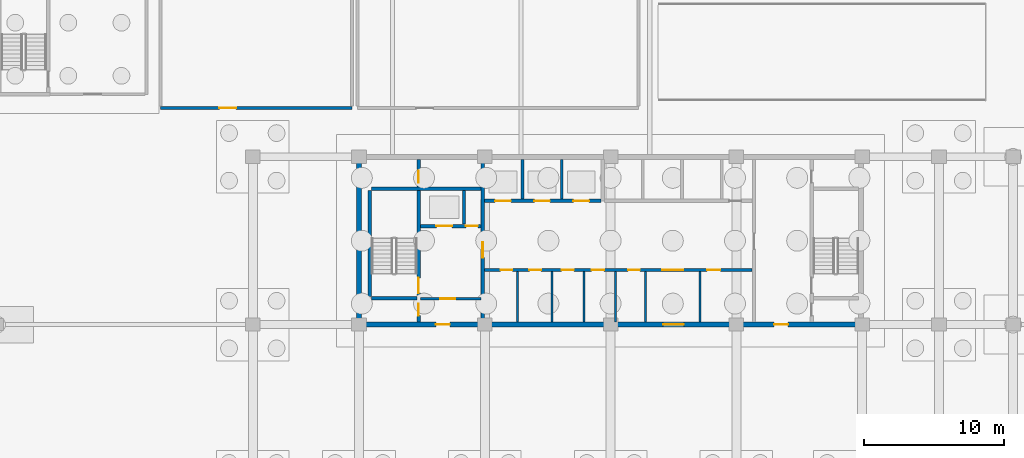
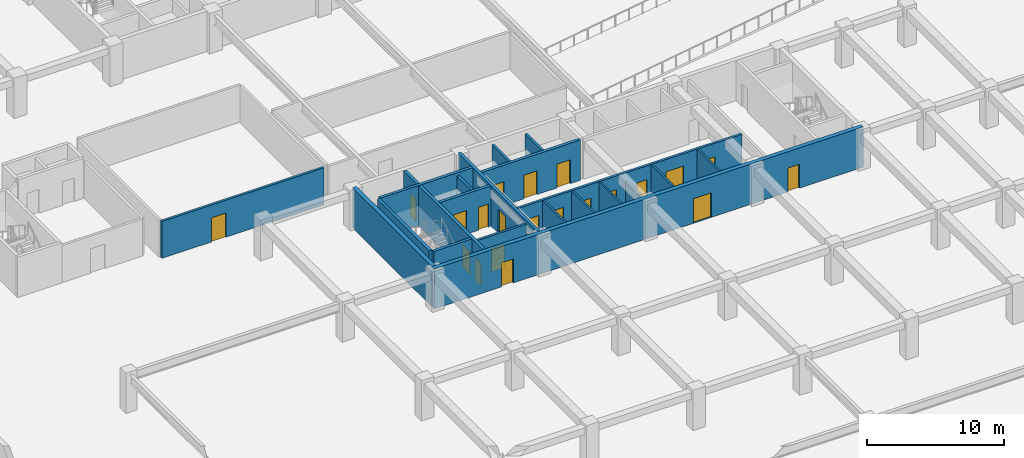
# One storey, part 10 of 26: 21 doors, 21 walls, 21 openings.
"""IFC4 building model written with IfcOpenShell, lengths in metres."""

from ifc_helpers import new_model, si_unit, direction, frame, frame_2d, origin, place, context, subcontext, project, spatial, rectangle, extrude, material, layer, layer_set, type_object, element, fill, save


model = new_model("IFC4")

# Units and contexts
model_context = context("Model", 3, precision=1e-05, world=origin(), true_north=direction((0.0, 1.0)))
body_context = subcontext(model_context, "Body", "Model", "MODEL_VIEW")
ifc_project = project(units=[si_unit("LENGTHUNIT", "METRE"), si_unit("AREAUNIT", "SQUARE_METRE"), si_unit("VOLUMEUNIT", "CUBIC_METRE"), si_unit("PLANEANGLEUNIT", "RADIAN"), si_unit("MASSUNIT", "GRAM", prefix="KILO")], contexts=[model_context])

# Site, building, storey
site_placement = place(None, origin())
site = spatial("IfcSite", under=ifc_project, at=site_placement, CompositionType="ELEMENT")
building_placement = place(site_placement, origin())
building = spatial("IfcBuilding", under=site, at=building_placement, Name="Korimba Cascade Residences", CompositionType="ELEMENT")
storey_placement = place(building_placement, frame((0.0, 0.0, -10.800048828125)))
storey = spatial("IfcBuildingStorey", under=building, at=storey_placement, Name="B03", CompositionType="ELEMENT", Elevation=-10.800048828125)

# Wall
ifc_material_1 = material(Name="Concrete C65/80", Category="concrete")
ifc_layer_1 = layer(ifc_material_1, 0.35009765625)
ifc_layer_set_1 = layer_set([ifc_layer_1], Name="Concrete C65/80")
wall_type_1 = type_object("IfcWallType", Name="WAL-CORE-350", PredefinedType="SHEAR", material=ifc_layer_set_1)
wall_1_placement = place(storey_placement, frame((82.10009765625, 18.574951171875, 0.0), z_axis=(0.0, 0.0, 1.0), x_axis=(0.0, 1.0, 0.0)))
element("IfcWall", 1, at=wall_1_placement, inside=storey, type_object=wall_type_1, Name="B03 Core Shear Wall CW-B03-T2-W", PredefinedType="SHEAR", context=body_context, shape_type="SweptSolid", body=[
    extrude(rectangle(XDim=11.650146484375, YDim=0.35009765625, at=frame_2d((5.8251953125, 0.0))), origin(), (0.0, 0.0, 1.0), 3.60009765625),
])

# Wall, openings, doors
wall_2_placement = place(storey_placement, frame((81.925048828125, 18.39990234375, 0.0), z_axis=(0.0, 0.0, 1.0), x_axis=(1.0, 0.0, 0.0)))
wall_2 = element("IfcWall", 2, at=wall_2_placement, inside=storey, type_object=wall_type_1, Name="B03 Core Shear Wall CW-B03-T2-S", PredefinedType="SHEAR", context=body_context, shape_type="SweptSolid", body=[
    extrude(rectangle(XDim=36.264892578125, YDim=0.35009765625, at=frame_2d((18.13232421875, 0.0))), origin(), (0.0, 0.0, 1.0), 3.60009765625),
])
opening_1_placement = place(wall_2_placement, frame((5.675048828125, 0.0, 0.0)))
opening_1 = element("IfcOpeningElement", 3, at=opening_1_placement, cuts=wall_2, Name="Opening D-FD5", PredefinedType="OPENING", context=body_context, shape_type="SweptSolid", body=[
    extrude(rectangle(XDim=1.0, YDim=2.14990234375, at=frame_2d((0.5, 1.074951171875))), frame((0.0, 0.18505859375, 0.0), z_axis=(0.0, -1.0, 0.0), x_axis=(1.0, 0.0, 0.0)), (0.0, 0.0, 1.0), 0.3701171875),
])
opening_2_placement = place(wall_2_placement, frame((21.925048828125, 0.0, 0.0)))
opening_2 = element("IfcOpeningElement", 4, at=opening_2_placement, cuts=wall_2, Name="Opening D-FD8", PredefinedType="OPENING", context=body_context, shape_type="SweptSolid", body=[
    extrude(rectangle(XDim=1.5, YDim=2.199951171875, at=frame_2d((0.75, 1.10009765625))), frame((0.0, 0.18505859375, 0.0), z_axis=(0.0, -1.0, 0.0), x_axis=(1.0, 0.0, 0.0)), (0.0, 0.0, 1.0), 0.3701171875),
])
opening_3_placement = place(wall_2_placement, frame((29.875, 0.0, 0.0)))
opening_3 = element("IfcOpeningElement", 5, at=opening_3_placement, cuts=wall_2, Name="Opening D-FD5", PredefinedType="OPENING", context=body_context, shape_type="SweptSolid", body=[
    extrude(rectangle(XDim=1.0, YDim=2.14990234375, at=frame_2d((0.5, 1.074951171875))), frame((0.0, 0.18505859375, 0.0), z_axis=(0.0, -1.0, 0.0), x_axis=(1.0, 0.0, 0.0)), (0.0, 0.0, 1.0), 0.3701171875),
])
ifc_material_2 = material(Name="Fire-Rated Acoustic Timber Vestibule Door", Category="wood")
door_type_1 = type_object("IfcDoorType", Name="DR-FD90-1000", OperationType="NOTDEFINED", PredefinedType="DOOR", material=ifc_material_2)
door_1_placement = place(opening_1_placement, origin())
door_1 = element("IfcDoor", 6, at=door_1_placement, inside=storey, type_object=door_type_1, Name="B03 T2 West Core Vestibule Fire Door", OperationType="SINGLE_SWING_RIGHT", OverallHeight=2.14990234375, OverallWidth=1.0, PredefinedType="DOOR", context=body_context, shape_type="SweptSolid", body=[
    extrude(rectangle(XDim=1.0, YDim=2.14990234375, at=frame_2d((0.5, 1.074951171875))), frame((0.0, 0.02490234375, 0.0), z_axis=(0.0, -1.0, 0.0), x_axis=(1.0, 0.0, 0.0)), (0.0, 0.0, 1.0), 0.050048828125),
])
fill(opening_1, door_1)
door_2_placement = place(opening_3_placement, origin())
door_2 = element("IfcDoor", 7, at=door_2_placement, inside=storey, type_object=door_type_1, Name="B03 T2 East Stair Vestibule Fire Door", OperationType="SINGLE_SWING_LEFT", OverallHeight=2.14990234375, OverallWidth=1.0, PredefinedType="DOOR", context=body_context, shape_type="SweptSolid", body=[
    extrude(rectangle(XDim=1.0, YDim=2.14990234375, at=frame_2d((0.5, 1.074951171875))), frame((0.0, 0.02490234375, 0.0), z_axis=(0.0, -1.0, 0.0), x_axis=(1.0, 0.0, 0.0)), (0.0, 0.0, 1.0), 0.050048828125),
])
fill(opening_3, door_2)
ifc_material_3 = material(Name="Fire-Rated Glazed Lift Lobby Double Door", Category="glass")
door_type_2 = type_object("IfcDoorType", Name="DR-FD90-1500", OperationType="NOTDEFINED", PredefinedType="DOOR", material=ifc_material_3)
door_3_placement = place(opening_2_placement, origin())
door_3 = element("IfcDoor", 8, at=door_3_placement, inside=storey, type_object=door_type_2, Name="B03 T2 Lift Lobby Fire Door", OperationType="DOUBLE_DOOR_SINGLE_SWING", OverallHeight=2.199951171875, OverallWidth=1.5, PredefinedType="DOOR", context=body_context, shape_type="SweptSolid", body=[
    extrude(rectangle(XDim=1.5, YDim=2.199951171875, at=frame_2d((0.75, 1.10009765625))), frame((0.0, 0.02490234375, 0.0), z_axis=(0.0, -1.0, 0.0), x_axis=(1.0, 0.0, 0.0)), (0.0, 0.0, 1.0), 0.050048828125),
])
fill(opening_2, door_3)

# Walls
ifc_material_4 = material(Name="Insulated Acoustic Stud Partition", Category="gypsum")
ifc_layer_2 = layer(ifc_material_4, 0.14990234375)
ifc_layer_set_2 = layer_set([ifc_layer_2], Name="Insulated Acoustic Stud Partition")
wall_type_2 = type_object("IfcWallType", Name="WAL-PART-150", PredefinedType="PARTITIONING", material=ifc_layer_set_2)
for number, where, z_axis, x_axis, name in (
    (9, (93.449951171875, 18.60009765625, 0.0), (0.0, 0.0, 1.0), (0.0, 1.0, 0.0), "B03 Partition Wall CW-B03-T2-ERDIV"),
    (10, (95.89990234375, 18.60009765625, 0.0), (0.0, 0.0, 1.0), (0.0, 1.0, 0.0), "B03 Partition Wall CW-B03-T2-PRDIV"),
    (11, (98.199951171875, 18.60009765625, 0.0), (0.0, 0.0, 1.0), (0.0, 1.0, 0.0), "B03 Partition Wall CW-B03-T2-CA1W1"),
):
    element("IfcWall", number, at=place(storey_placement, frame(where, z_axis=z_axis, x_axis=x_axis)), inside=storey, type_object=wall_type_2, Name=name, PredefinedType="PARTITIONING", context=body_context, shape_type="SweptSolid", body=[
        extrude(rectangle(XDim=3.599853515625, YDim=0.14990234375, at=frame_2d((1.7998046875, 0.0))), origin(), (0.0, 0.0, 1.0), 3.300048828125),
    ])
wall_3_placement = place(storey_placement, frame((100.449951171875, 18.60009765625, 0.0), z_axis=(0.0, 0.0, 1.0), x_axis=(0.0, 1.0, 0.0)))
element("IfcWall", 12, at=wall_3_placement, inside=storey, type_object=wall_type_2, Name="B03 Partition Wall CW-B03-T2-CA1W2", PredefinedType="PARTITIONING", context=body_context, shape_type="SweptSolid", body=[
    extrude(rectangle(XDim=3.599853515625, YDim=0.14990234375, at=frame_2d((1.7998046875, 0.0))), origin(), (0.0, 0.0, 1.0), 2.550048828125),
])
for number, where, z_axis, x_axis, name in (
    (13, (102.60009765625, 18.60009765625, 0.0), (0.0, 0.0, 1.0), (0.0, 1.0, 0.0), "B03 Partition Wall CW-B03-T2-THW"),
    (14, (106.5, 18.60009765625, 0.0), (0.0, 0.0, 1.0), (0.0, 1.0, 0.0), "B03 Partition Wall CW-B03-T2-THE"),
):
    element("IfcWall", number, at=place(storey_placement, frame(where, z_axis=z_axis, x_axis=x_axis)), inside=storey, type_object=wall_type_2, Name=name, PredefinedType="PARTITIONING", context=body_context, shape_type="SweptSolid", body=[
        extrude(rectangle(XDim=3.599853515625, YDim=0.14990234375, at=frame_2d((1.7998046875, 0.0))), origin(), (0.0, 0.0, 1.0), 3.300048828125),
    ])
ifc_material_5 = material(Name="Concrete C40/50", Category="concrete")
ifc_layer_3 = layer(ifc_material_5, 0.199951171875)
ifc_layer_set_3 = layer_set([ifc_layer_3], Name="Concrete C40/50")
wall_type_3 = type_object("IfcWallType", Name="WAL-PART-200", PredefinedType="PARTITIONING", material=ifc_layer_set_3)
wall_4_placement = place(storey_placement, frame((89.60009765625, 25.580078125, 0.0), z_axis=(0.0, 0.0, 1.0), x_axis=(0.0, 1.0, 0.0)))
element("IfcWall", 15, at=wall_4_placement, inside=storey, type_object=wall_type_3, Name="B03 Partition Wall CW-B03-T2-FFLDIV", PredefinedType="PARTITIONING", context=body_context, shape_type="SweptSolid", body=[
    extrude(rectangle(XDim=2.419921875, YDim=0.199951171875, at=frame_2d((1.2099609375, 0.0))), origin(), (0.0, 0.0, 1.0), 3.300048828125),
])

# Wall, opening, door
wall_5_placement = place(storey_placement, frame((86.5, 20.25, 0.0), z_axis=(0.0, 0.0, 1.0), x_axis=(1.0, 0.0, 0.0)))
wall_5 = element("IfcWall", 16, at=wall_5_placement, inside=storey, type_object=wall_type_3, Name="B03 Partition Wall CW-B03-T2-FFLS", PredefinedType="PARTITIONING", context=body_context, shape_type="SweptSolid", body=[
    extrude(rectangle(XDim=4.320068359375, YDim=0.199951171875, at=frame_2d((2.16015625, 0.0))), origin(), (0.0, 0.0, 1.0), 3.300048828125),
])
opening_4_placement = place(wall_5_placement, frame((1.39990234375, 0.0, 0.0)))
opening_4 = element("IfcOpeningElement", 17, at=opening_4_placement, cuts=wall_5, Name="Opening D-FD1", PredefinedType="OPENING", context=body_context, shape_type="SweptSolid", body=[
    extrude(rectangle(XDim=1.10009765625, YDim=2.10009765625, at=frame_2d((0.550048828125, 1.050048828125))), frame((0.0, 0.10986328125, 0.0), z_axis=(0.0, -1.0, 0.0), x_axis=(1.0, 0.0, 0.0)), (0.0, 0.0, 1.0), 0.219970703125),
])
ifc_material_6 = material(Name="Fire-Rated Steel Core Door", Category="steel")
door_type_3 = type_object("IfcDoorType", Name="DR-FD120-1100", OperationType="NOTDEFINED", PredefinedType="DOOR", material=ifc_material_6)
door_4_placement = place(opening_4_placement, origin())
door_4 = element("IfcDoor", 18, at=door_4_placement, inside=storey, type_object=door_type_3, Name="B03 T2 Firefighting Lobby Door", OperationType="SINGLE_SWING_RIGHT", OverallHeight=2.10009765625, OverallWidth=1.10009765625, PredefinedType="DOOR", context=body_context, shape_type="SweptSolid", body=[
    extrude(rectangle(XDim=1.10009765625, YDim=2.10009765625, at=frame_2d((0.550048828125, 1.050048828125))), frame((0.0, 0.02490234375, 0.0), z_axis=(0.0, -1.0, 0.0), x_axis=(1.0, 0.0, 0.0)), (0.0, 0.0, 1.0), 0.050048828125),
])
fill(opening_4, door_4)

# Walls
for number, where, z_axis, x_axis, name in (
    (19, (93.800048828125, 27.3798828125, 0.0), (0.0, 0.0, 1.0), (0.0, 1.0, 0.0), "B03 Partition Wall CW-B03-T2-B1D1"),
    (20, (96.60009765625, 27.3798828125, 0.0), (0.0, 0.0, 1.0), (0.0, 1.0, 0.0), "B03 Partition Wall CW-B03-T2-B1D2"),
):
    element("IfcWall", number, at=place(storey_placement, frame(where, z_axis=z_axis, x_axis=x_axis)), inside=storey, type_object=wall_type_3, Name=name, PredefinedType="PARTITIONING", context=body_context, shape_type="SweptSolid", body=[
        extrude(rectangle(XDim=2.820068359375, YDim=0.199951171875, at=frame_2d((1.41015625, 0.0))), origin(), (0.0, 0.0, 1.0), 3.300048828125),
    ])

# Wall, openings, doors
wall_6_placement = place(storey_placement, frame((91.080078125, 22.300048828125, 0.0), z_axis=(0.0, 0.0, 1.0), x_axis=(1.0, 0.0, 0.0)))
wall_6 = element("IfcWall", 21, at=wall_6_placement, inside=storey, type_object=wall_type_3, Name="B03 Partition Wall CW-B03-T2-SRVROW", PredefinedType="PARTITIONING", context=body_context, shape_type="SweptSolid", body=[
    extrude(rectangle(XDim=19.139892578125, YDim=0.199951171875, at=frame_2d((9.56982421875, 0.0))), origin(), (0.0, 0.0, 1.0), 3.300048828125),
])
opening_5_placement = place(wall_6_placement, frame((1.14990234375, 0.0, 0.0)))
opening_5 = element("IfcOpeningElement", 22, at=opening_5_placement, cuts=wall_6, Name="Opening D-RS1", PredefinedType="OPENING", context=body_context, shape_type="SweptSolid", body=[
    extrude(rectangle(XDim=0.85009765625, YDim=2.050048828125, at=frame_2d((0.425048828125, 1.02490234375))), frame((0.0, 0.10986328125, 0.0), z_axis=(0.0, -1.0, 0.0), x_axis=(1.0, 0.0, 0.0)), (0.0, 0.0, 1.0), 0.219970703125),
])
opening_6_placement = place(wall_6_placement, frame((3.199951171875, 0.0, 0.0)))
opening_6 = element("IfcOpeningElement", 23, at=opening_6_placement, cuts=wall_6, Name="Opening D-RS1", PredefinedType="OPENING", context=body_context, shape_type="SweptSolid", body=[
    extrude(rectangle(XDim=0.85009765625, YDim=2.050048828125, at=frame_2d((0.425048828125, 1.02490234375))), frame((0.0, 0.10986328125, 0.0), z_axis=(0.0, -1.0, 0.0), x_axis=(1.0, 0.0, 0.0)), (0.0, 0.0, 1.0), 0.219970703125),
])
opening_7_placement = place(wall_6_placement, frame((12.719970703125, 0.0, 0.0)))
opening_7 = element("IfcOpeningElement", 24, at=opening_7_placement, cuts=wall_6, Name="Opening D-FD8", PredefinedType="OPENING", context=body_context, shape_type="SweptSolid", body=[
    extrude(rectangle(XDim=1.5, YDim=2.199951171875, at=frame_2d((0.75, 1.10009765625))), frame((0.0, 0.10986328125, 0.0), z_axis=(0.0, -1.0, 0.0), x_axis=(1.0, 0.0, 0.0)), (0.0, 0.0, 1.0), 0.219970703125),
])
opening_8_placement = place(wall_6_placement, frame((5.52001953125, 0.0, 0.0)))
opening_8 = element("IfcOpeningElement", 25, at=opening_8_placement, cuts=wall_6, Name="Opening D-IN2", PredefinedType="OPENING", context=body_context, shape_type="SweptSolid", body=[
    extrude(rectangle(XDim=0.8798828125, YDim=2.06005859375, at=frame_2d((0.43994140625, 1.030029296875))), frame((0.0, 0.10986328125, 0.0), z_axis=(0.0, -1.0, 0.0), x_axis=(1.0, 0.0, 0.0)), (0.0, 0.0, 1.0), 0.219970703125),
])
opening_9_placement = place(wall_6_placement, frame((7.669921875, 0.0, 0.0)))
opening_9 = element("IfcOpeningElement", 26, at=opening_9_placement, cuts=wall_6, Name="Opening D-IN2", PredefinedType="OPENING", context=body_context, shape_type="SweptSolid", body=[
    extrude(rectangle(XDim=0.8798828125, YDim=2.06005859375, at=frame_2d((0.43994140625, 1.030029296875))), frame((0.0, 0.10986328125, 0.0), z_axis=(0.0, -1.0, 0.0), x_axis=(1.0, 0.0, 0.0)), (0.0, 0.0, 1.0), 0.219970703125),
])
opening_10_placement = place(wall_6_placement, frame((10.27001953125, 0.0, 0.0)))
opening_10 = element("IfcOpeningElement", 27, at=opening_10_placement, cuts=wall_6, Name="Opening D-RS1", PredefinedType="OPENING", context=body_context, shape_type="SweptSolid", body=[
    extrude(rectangle(XDim=0.85009765625, YDim=2.050048828125, at=frame_2d((0.425048828125, 1.02490234375))), frame((0.0, 0.10986328125, 0.0), z_axis=(0.0, -1.0, 0.0), x_axis=(1.0, 0.0, 0.0)), (0.0, 0.0, 1.0), 0.219970703125),
])
opening_11_placement = place(wall_6_placement, frame((15.919921875, 0.0, 0.0)))
opening_11 = element("IfcOpeningElement", 28, at=opening_11_placement, cuts=wall_6, Name="Opening D-AC1", PredefinedType="OPENING", context=body_context, shape_type="SweptSolid", body=[
    extrude(rectangle(XDim=0.9599609375, YDim=2.10009765625, at=frame_2d((0.47998046875, 1.050048828125))), frame((0.0, 0.10986328125, 0.0), z_axis=(0.0, -1.0, 0.0), x_axis=(1.0, 0.0, 0.0)), (0.0, 0.0, 1.0), 0.219970703125),
])
ifc_material_7 = material(Name="Accessible Acoustic Timber WC Door", Category="wood")
door_type_4 = type_object("IfcDoorType", Name="DR-ACC-950", OperationType="NOTDEFINED", PredefinedType="DOOR", material=ifc_material_7)
door_5_placement = place(opening_11_placement, origin())
door_5 = element("IfcDoor", 29, at=door_5_placement, inside=storey, type_object=door_type_4, Name="B03 T2 Accessible Staff WC Door", OperationType="SINGLE_SWING_RIGHT", OverallHeight=2.10009765625, OverallWidth=0.9599609375, PredefinedType="DOOR", context=body_context, shape_type="SweptSolid", body=[
    extrude(rectangle(XDim=0.9599609375, YDim=2.10009765625, at=frame_2d((0.47998046875, 1.050048828125))), frame((0.0, 0.02490234375, 0.0), z_axis=(0.0, -1.0, 0.0), x_axis=(1.0, 0.0, 0.0)), (0.0, 0.0, 1.0), 0.050048828125),
])
fill(opening_11, door_5)
ifc_material_8 = material(Name="Fire-Rated Steel Riser Access Door", Category="steel")
door_type_5 = type_object("IfcDoorType", Name="DR-FD60-850", OperationType="NOTDEFINED", PredefinedType="DOOR", material=ifc_material_8)
door_6_placement = place(opening_5_placement, origin())
door_6 = element("IfcDoor", 30, at=door_6_placement, inside=storey, type_object=door_type_5, Name="B03 T2 Electrical Riser Door", OperationType="SINGLE_SWING_LEFT", OverallHeight=2.050048828125, OverallWidth=0.85009765625, PredefinedType="DOOR", context=body_context, shape_type="SweptSolid", body=[
    extrude(rectangle(XDim=0.85009765625, YDim=2.050048828125, at=frame_2d((0.425048828125, 1.02490234375))), frame((0.0, 0.02490234375, 0.0), z_axis=(0.0, -1.0, 0.0), x_axis=(1.0, 0.0, 0.0)), (0.0, 0.0, 1.0), 0.050048828125),
])
fill(opening_5, door_6)
door_7_placement = place(opening_6_placement, origin())
door_7 = element("IfcDoor", 31, at=door_7_placement, inside=storey, type_object=door_type_5, Name="B03 T2 Plumbing Riser Door", OperationType="SINGLE_SWING_RIGHT", OverallHeight=2.050048828125, OverallWidth=0.85009765625, PredefinedType="DOOR", context=body_context, shape_type="SweptSolid", body=[
    extrude(rectangle(XDim=0.85009765625, YDim=2.050048828125, at=frame_2d((0.425048828125, 1.02490234375))), frame((0.0, 0.02490234375, 0.0), z_axis=(0.0, -1.0, 0.0), x_axis=(1.0, 0.0, 0.0)), (0.0, 0.0, 1.0), 0.050048828125),
])
fill(opening_6, door_7)
door_8_placement = place(opening_10_placement, origin())
door_8 = element("IfcDoor", 32, at=door_8_placement, inside=storey, type_object=door_type_5, Name="B03 T2 IT Room Door", OperationType="SINGLE_SWING_LEFT", OverallHeight=2.050048828125, OverallWidth=0.85009765625, PredefinedType="DOOR", context=body_context, shape_type="SweptSolid", body=[
    extrude(rectangle(XDim=0.85009765625, YDim=2.050048828125, at=frame_2d((0.425048828125, 1.02490234375))), frame((0.0, 0.02490234375, 0.0), z_axis=(0.0, -1.0, 0.0), x_axis=(1.0, 0.0, 0.0)), (0.0, 0.0, 1.0), 0.050048828125),
])
fill(opening_10, door_8)
door_9_placement = place(opening_7_placement, origin())
door_9 = element("IfcDoor", 33, at=door_9_placement, inside=storey, type_object=door_type_2, Name="B03 T2 Lift Lobby Foyer Door", OperationType="DOUBLE_DOOR_SINGLE_SWING", OverallHeight=2.199951171875, OverallWidth=1.5, PredefinedType="DOOR", context=body_context, shape_type="SweptSolid", body=[
    extrude(rectangle(XDim=1.5, YDim=2.199951171875, at=frame_2d((0.75, 1.10009765625))), frame((0.0, 0.02490234375, 0.0), z_axis=(0.0, -1.0, 0.0), x_axis=(1.0, 0.0, 0.0)), (0.0, 0.0, 1.0), 0.050048828125),
])
fill(opening_7, door_9)
ifc_material_9 = material(Name="Acoustic Timber Bedroom Door", Category="wood")
door_type_6 = type_object("IfcDoorType", Name="DR-INT-880", OperationType="NOTDEFINED", PredefinedType="DOOR", material=ifc_material_9)
door_10_placement = place(opening_8_placement, origin())
door_10 = element("IfcDoor", 34, at=door_10_placement, inside=storey, type_object=door_type_6, Name="B03 T2 Cleaners Door", OperationType="SINGLE_SWING_LEFT", OverallHeight=2.06005859375, OverallWidth=0.8798828125, PredefinedType="DOOR", context=body_context, shape_type="SweptSolid", body=[
    extrude(rectangle(XDim=0.8798828125, YDim=2.06005859375, at=frame_2d((0.43994140625, 1.030029296875))), frame((0.0, 0.02490234375, 0.0), z_axis=(0.0, -1.0, 0.0), x_axis=(1.0, 0.0, 0.0)), (0.0, 0.0, 1.0), 0.050048828125),
])
fill(opening_8, door_10)
door_11_placement = place(opening_9_placement, origin())
door_11 = element("IfcDoor", 35, at=door_11_placement, inside=storey, type_object=door_type_6, Name="B03 T2 Pantry Door", OperationType="SINGLE_SWING_RIGHT", OverallHeight=2.06005859375, OverallWidth=0.8798828125, PredefinedType="DOOR", context=body_context, shape_type="SweptSolid", body=[
    extrude(rectangle(XDim=0.8798828125, YDim=2.06005859375, at=frame_2d((0.43994140625, 1.030029296875))), frame((0.0, 0.02490234375, 0.0), z_axis=(0.0, -1.0, 0.0), x_axis=(1.0, 0.0, 0.0)), (0.0, 0.0, 1.0), 0.050048828125),
])
fill(opening_9, door_11)

# Wall, opening, door
wall_7_placement = place(storey_placement, frame((67.89990234375, 33.89990234375, 0.0), z_axis=(0.0, 0.0, 1.0), x_axis=(1.0, 0.0, 0.0)))
wall_7 = element("IfcWall", 36, at=wall_7_placement, inside=storey, type_object=wall_type_3, Name="B03 Partition Wall WAL-B03-PMPS", PredefinedType="PARTITIONING", context=body_context, shape_type="SweptSolid", body=[
    extrude(rectangle(XDim=13.7001953125, YDim=0.199951171875, at=frame_2d((6.85009765625, 0.0))), origin(), (0.0, 0.0, 1.0), 3.300048828125),
])
opening_12_placement = place(wall_7_placement, frame((4.199951171875, 0.0, 0.0)))
opening_12 = element("IfcOpeningElement", 37, at=opening_12_placement, cuts=wall_7, Name="Opening D-FD3", PredefinedType="OPENING", context=body_context, shape_type="SweptSolid", body=[
    extrude(rectangle(XDim=1.199951171875, YDim=2.14990234375, at=frame_2d((0.60009765625, 1.074951171875))), frame((0.0, 0.10986328125, 0.0), z_axis=(0.0, -1.0, 0.0), x_axis=(1.0, 0.0, 0.0)), (0.0, 0.0, 1.0), 0.219970703125),
])
ifc_material_10 = material(Name="Fire-Rated Steel Plant Door", Category="steel")
door_type_7 = type_object("IfcDoorType", Name="DR-FD120-1200", OperationType="NOTDEFINED", PredefinedType="DOOR", material=ifc_material_10)
door_12_placement = place(opening_12_placement, origin())
door_12 = element("IfcDoor", 38, at=door_12_placement, inside=storey, type_object=door_type_7, Name="B03 Pump Room Door", OperationType="SINGLE_SWING_LEFT", OverallHeight=2.14990234375, OverallWidth=1.199951171875, PredefinedType="DOOR", context=body_context, shape_type="SweptSolid", body=[
    extrude(rectangle(XDim=1.199951171875, YDim=2.14990234375, at=frame_2d((0.60009765625, 1.074951171875))), frame((0.0, 0.02490234375, 0.0), z_axis=(0.0, -1.0, 0.0), x_axis=(1.0, 0.0, 0.0)), (0.0, 0.0, 1.0), 0.050048828125),
])
fill(opening_12, door_12)

# Wall
ifc_material_11 = material(Name="Concrete C50/60", Category="concrete")
ifc_layer_4 = layer(ifc_material_11, 0.25)
ifc_layer_set_4 = layer_set([ifc_layer_4], Name="Concrete C50/60")
wall_type_4 = type_object("IfcWallType", Name="WAL-SHAFT-250", PredefinedType="SHEAR", material=ifc_layer_set_4)
wall_8_placement = place(storey_placement, frame((82.875, 20.39990234375, 0.0), z_axis=(0.0, 0.0, 1.0), x_axis=(0.0, 1.0, 0.0)))
element("IfcWall", 39, at=wall_8_placement, inside=storey, type_object=wall_type_4, Name="B03 Core Shear Wall CW-B03-T2-STE1W", PredefinedType="SHEAR", context=body_context, shape_type="SweptSolid", body=[
    extrude(rectangle(XDim=7.60009765625, YDim=0.25, at=frame_2d((3.800048828125, 0.0))), origin(), (0.0, 0.0, 1.0), 3.60009765625),
])

# Wall, openings, doors
wall_9_placement = place(storey_placement, frame((86.364990234375, 18.60009765625, 0.0), z_axis=(0.0, 0.0, 1.0), x_axis=(0.0, 1.0, 0.0)))
wall_9 = element("IfcWall", 40, at=wall_9_placement, inside=storey, type_object=wall_type_4, Name="B03 Core Shear Wall CW-B03-T2-STE1E", PredefinedType="SHEAR", context=body_context, shape_type="SweptSolid", body=[
    extrude(rectangle(XDim=11.599853515625, YDim=0.25, at=frame_2d((5.7998046875, 0.0))), origin(), (0.0, 0.0, 1.0), 3.60009765625),
])
opening_13_placement = place(wall_9_placement, frame((0.449951171875, 0.0, 0.0)))
opening_13 = element("IfcOpeningElement", 41, at=opening_13_placement, cuts=wall_9, Name="Opening D-RS1", PredefinedType="OPENING", context=body_context, shape_type="SweptSolid", body=[
    extrude(rectangle(XDim=0.85009765625, YDim=2.050048828125, at=frame_2d((0.425048828125, 1.02490234375))), frame((0.0, 0.135009765625, 0.0), z_axis=(0.0, -1.0, 0.0), x_axis=(1.0, 0.0, 0.0)), (0.0, 0.0, 1.0), 0.27001953125),
])
opening_14_placement = place(wall_9_placement, frame((2.050048828125, 0.0, 0.0)))
opening_14 = element("IfcOpeningElement", 42, at=opening_14_placement, cuts=wall_9, Name="Opening D-FD1", PredefinedType="OPENING", context=body_context, shape_type="SweptSolid", body=[
    extrude(rectangle(XDim=1.10009765625, YDim=2.10009765625, at=frame_2d((0.550048828125, 1.050048828125))), frame((0.0, 0.135009765625, 0.0), z_axis=(0.0, -1.0, 0.0), x_axis=(1.0, 0.0, 0.0)), (0.0, 0.0, 1.0), 0.27001953125),
])
opening_15_placement = place(wall_9_placement, frame((9.949951171875, 0.0, 0.0)))
opening_15 = element("IfcOpeningElement", 43, at=opening_15_placement, cuts=wall_9, Name="Opening D-RS1", PredefinedType="OPENING", context=body_context, shape_type="SweptSolid", body=[
    extrude(rectangle(XDim=0.85009765625, YDim=2.050048828125, at=frame_2d((0.425048828125, 1.02490234375))), frame((0.0, 0.135009765625, 0.0), z_axis=(0.0, -1.0, 0.0), x_axis=(1.0, 0.0, 0.0)), (0.0, 0.0, 1.0), 0.27001953125),
])
door_13_placement = place(opening_14_placement, origin())
door_13 = element("IfcDoor", 44, at=door_13_placement, inside=storey, type_object=door_type_3, Name="B03 Fire Stair ST-E1 Door", OperationType="SINGLE_SWING_LEFT", OverallHeight=2.10009765625, OverallWidth=1.10009765625, PredefinedType="DOOR", context=body_context, shape_type="SweptSolid", body=[
    extrude(rectangle(XDim=1.10009765625, YDim=2.10009765625, at=frame_2d((0.550048828125, 1.050048828125))), frame((0.0, 0.02490234375, 0.0), z_axis=(0.0, -1.0, 0.0), x_axis=(1.0, 0.0, 0.0)), (0.0, 0.0, 1.0), 0.050048828125),
])
fill(opening_14, door_13)
door_14_placement = place(opening_13_placement, origin())
door_14 = element("IfcDoor", 45, at=door_14_placement, inside=storey, type_object=door_type_5, Name="B03 T2 Hydrant Riser Door", OperationType="SINGLE_SWING_RIGHT", OverallHeight=2.050048828125, OverallWidth=0.85009765625, PredefinedType="DOOR", context=body_context, shape_type="SweptSolid", body=[
    extrude(rectangle(XDim=0.85009765625, YDim=2.050048828125, at=frame_2d((0.425048828125, 1.02490234375))), frame((0.0, 0.02490234375, 0.0), z_axis=(0.0, -1.0, 0.0), x_axis=(1.0, 0.0, 0.0)), (0.0, 0.0, 1.0), 0.050048828125),
])
fill(opening_13, door_14)
door_15_placement = place(opening_15_placement, origin())
door_15 = element("IfcDoor", 46, at=door_15_placement, inside=storey, type_object=door_type_5, Name="B03 T2 Smoke Shaft Door", OperationType="SINGLE_SWING_RIGHT", OverallHeight=2.050048828125, OverallWidth=0.85009765625, PredefinedType="DOOR", context=body_context, shape_type="SweptSolid", body=[
    extrude(rectangle(XDim=0.85009765625, YDim=2.050048828125, at=frame_2d((0.425048828125, 1.02490234375))), frame((0.0, 0.02490234375, 0.0), z_axis=(0.0, -1.0, 0.0), x_axis=(1.0, 0.0, 0.0)), (0.0, 0.0, 1.0), 0.050048828125),
])
fill(opening_15, door_15)

# Walls
wall_10_placement = place(storey_placement, frame((83.0, 20.27490234375, 0.0), z_axis=(0.0, 0.0, 1.0), x_axis=(1.0, 0.0, 0.0)))
element("IfcWall", 47, at=wall_10_placement, inside=storey, type_object=wall_type_4, Name="B03 Core Shear Wall CW-B03-T2-STE1S", PredefinedType="SHEAR", context=body_context, shape_type="SweptSolid", body=[
    extrude(rectangle(XDim=3.239990234375, YDim=0.25, at=frame_2d((1.6201171875, 0.0))), origin(), (0.0, 0.0, 1.0), 3.60009765625),
])
wall_11_placement = place(storey_placement, frame((83.0, 28.125, 0.0), z_axis=(0.0, 0.0, 1.0), x_axis=(1.0, 0.0, 0.0)))
element("IfcWall", 48, at=wall_11_placement, inside=storey, type_object=wall_type_4, Name="B03 Core Shear Wall CW-B03-T2-STE1N", PredefinedType="SHEAR", context=body_context, shape_type="SweptSolid", body=[
    extrude(rectangle(XDim=7.820068359375, YDim=0.25, at=frame_2d((3.91015625, 0.0))), origin(), (0.0, 0.0, 1.0), 3.60009765625),
])

# Wall, openings, doors
wall_12_placement = place(storey_placement, frame((86.5, 25.449951171875, 0.0), z_axis=(0.0, 0.0, 1.0), x_axis=(1.0, 0.0, 0.0)))
wall_12 = element("IfcWall", 49, at=wall_12_placement, inside=storey, type_object=wall_type_4, Name="B03 Core Shear Wall CW-B03-T2-FFLN", PredefinedType="SHEAR", context=body_context, shape_type="SweptSolid", body=[
    extrude(rectangle(XDim=4.320068359375, YDim=0.25, at=frame_2d((2.16015625, 0.0))), origin(), (0.0, 0.0, 1.0), 3.60009765625),
])
opening_16_placement = place(wall_12_placement, frame((1.139892578125, 0.0, 0.0)))
opening_16 = element("IfcOpeningElement", 50, at=opening_16_placement, cuts=wall_12, Name="Opening LD-01", PredefinedType="OPENING", context=body_context, shape_type="SweptSolid", body=[
    extrude(rectangle(XDim=1.1201171875, YDim=2.1201171875, at=frame_2d((0.56005859375, 1.06005859375))), frame((0.0, 0.135009765625, 0.0), z_axis=(0.0, -1.0, 0.0), x_axis=(1.0, 0.0, 0.0)), (0.0, 0.0, 1.0), 0.27001953125),
])
opening_17_placement = place(wall_12_placement, frame((3.25, 0.0, 0.0)))
opening_17 = element("IfcOpeningElement", 51, at=opening_17_placement, cuts=wall_12, Name="Opening D-RS1", PredefinedType="OPENING", context=body_context, shape_type="SweptSolid", body=[
    extrude(rectangle(XDim=0.85009765625, YDim=2.050048828125, at=frame_2d((0.425048828125, 1.02490234375))), frame((0.0, 0.135009765625, 0.0), z_axis=(0.0, -1.0, 0.0), x_axis=(1.0, 0.0, 0.0)), (0.0, 0.0, 1.0), 0.27001953125),
])
door_16_placement = place(opening_17_placement, origin())
door_16 = element("IfcDoor", 52, at=door_16_placement, inside=storey, type_object=door_type_5, Name="B03 T2 Pressurisation Riser Door", OperationType="SINGLE_SWING_LEFT", OverallHeight=2.050048828125, OverallWidth=0.85009765625, PredefinedType="DOOR", context=body_context, shape_type="SweptSolid", body=[
    extrude(rectangle(XDim=0.85009765625, YDim=2.050048828125, at=frame_2d((0.425048828125, 1.02490234375))), frame((0.0, 0.02490234375, 0.0), z_axis=(0.0, -1.0, 0.0), x_axis=(1.0, 0.0, 0.0)), (0.0, 0.0, 1.0), 0.050048828125),
])
fill(opening_17, door_16)
ifc_material_12 = material(Name="Stainless Steel Lift Landing Sliding Door", Category="steel")
door_type_8 = type_object("IfcDoorType", Name="DR-LIFT-1100", OperationType="NOTDEFINED", PredefinedType="DOOR", material=ifc_material_12)
door_17_placement = place(opening_16_placement, origin())
door_17 = element("IfcDoor", 53, at=door_17_placement, inside=storey, type_object=door_type_8, Name="B03 Firefighting Lift Landing Door FFL-E1", OperationType="SLIDING_TO_RIGHT", OverallHeight=2.1201171875, OverallWidth=1.1201171875, PredefinedType="DOOR", context=body_context, shape_type="SweptSolid", body=[
    extrude(rectangle(XDim=1.1201171875, YDim=2.1201171875, at=frame_2d((0.56005859375, 1.06005859375))), frame((0.0, 0.02490234375, 0.0), z_axis=(0.0, -1.0, 0.0), x_axis=(1.0, 0.0, 0.0)), (0.0, 0.0, 1.0), 0.050048828125),
])
fill(opening_16, door_17)

# Wall, opening, door
wall_13_placement = place(storey_placement, frame((90.949951171875, 18.60009765625, 0.0), z_axis=(0.0, 0.0, 1.0), x_axis=(0.0, 1.0, 0.0)))
wall_13 = element("IfcWall", 54, at=wall_13_placement, inside=storey, type_object=wall_type_4, Name="B03 Core Shear Wall CW-B03-T2-FFLE", PredefinedType="SHEAR", context=body_context, shape_type="SweptSolid", body=[
    extrude(rectangle(XDim=11.599853515625, YDim=0.25, at=frame_2d((5.7998046875, 0.0))), origin(), (0.0, 0.0, 1.0), 3.60009765625),
])
opening_18_placement = place(wall_13_placement, frame((4.60009765625, 0.0, 0.0)))
opening_18 = element("IfcOpeningElement", 55, at=opening_18_placement, cuts=wall_13, Name="Opening D-FD1", PredefinedType="OPENING", context=body_context, shape_type="SweptSolid", body=[
    extrude(rectangle(XDim=1.10009765625, YDim=2.10009765625, at=frame_2d((0.550048828125, 1.050048828125))), frame((0.0, 0.135009765625, 0.0), z_axis=(0.0, -1.0, 0.0), x_axis=(1.0, 0.0, 0.0)), (0.0, 0.0, 1.0), 0.27001953125),
])
door_18_placement = place(opening_18_placement, origin())
door_18 = element("IfcDoor", 56, at=door_18_placement, inside=storey, type_object=door_type_3, Name="B03 T2 Firefighting Lobby to Lift Lobby Door", OperationType="SINGLE_SWING_LEFT", OverallHeight=2.10009765625, OverallWidth=1.10009765625, PredefinedType="DOOR", context=body_context, shape_type="SweptSolid", body=[
    extrude(rectangle(XDim=1.10009765625, YDim=2.10009765625, at=frame_2d((0.550048828125, 1.050048828125))), frame((0.0, 0.02490234375, 0.0), z_axis=(0.0, -1.0, 0.0), x_axis=(1.0, 0.0, 0.0)), (0.0, 0.0, 1.0), 0.050048828125),
])
fill(opening_18, door_18)

# Wall, openings, doors
wall_14_placement = place(storey_placement, frame((91.080078125, 27.25, 0.0), z_axis=(0.0, 0.0, 1.0), x_axis=(1.0, 0.0, 0.0)))
wall_14 = element("IfcWall", 57, at=wall_14_placement, inside=storey, type_object=wall_type_4, Name="B03 Core Shear Wall CW-B03-T2-B1S", PredefinedType="SHEAR", context=body_context, shape_type="SweptSolid", body=[
    extrude(rectangle(XDim=8.33984375, YDim=0.25, at=frame_2d((4.169921875, 0.0))), origin(), (0.0, 0.0, 1.0), 3.60009765625),
])
opening_19_placement = place(wall_14_placement, frame((0.760009765625, 0.0, 0.0)))
opening_19 = element("IfcOpeningElement", 58, at=opening_19_placement, cuts=wall_14, Name="Opening LD-01", PredefinedType="OPENING", context=body_context, shape_type="SweptSolid", body=[
    extrude(rectangle(XDim=1.1201171875, YDim=2.1201171875, at=frame_2d((0.56005859375, 1.06005859375))), frame((0.0, 0.135009765625, 0.0), z_axis=(0.0, -1.0, 0.0), x_axis=(1.0, 0.0, 0.0)), (0.0, 0.0, 1.0), 0.27001953125),
])
opening_20_placement = place(wall_14_placement, frame((3.56005859375, 0.0, 0.0)))
opening_20 = element("IfcOpeningElement", 59, at=opening_20_placement, cuts=wall_14, Name="Opening LD-01", PredefinedType="OPENING", context=body_context, shape_type="SweptSolid", body=[
    extrude(rectangle(XDim=1.1201171875, YDim=2.1201171875, at=frame_2d((0.56005859375, 1.06005859375))), frame((0.0, 0.135009765625, 0.0), z_axis=(0.0, -1.0, 0.0), x_axis=(1.0, 0.0, 0.0)), (0.0, 0.0, 1.0), 0.27001953125),
])
opening_21_placement = place(wall_14_placement, frame((6.360107421875, 0.0, 0.0)))
opening_21 = element("IfcOpeningElement", 60, at=opening_21_placement, cuts=wall_14, Name="Opening LD-01", PredefinedType="OPENING", context=body_context, shape_type="SweptSolid", body=[
    extrude(rectangle(XDim=1.1201171875, YDim=2.1201171875, at=frame_2d((0.56005859375, 1.06005859375))), frame((0.0, 0.135009765625, 0.0), z_axis=(0.0, -1.0, 0.0), x_axis=(1.0, 0.0, 0.0)), (0.0, 0.0, 1.0), 0.27001953125),
])
door_19_placement = place(opening_19_placement, origin())
door_19 = element("IfcDoor", 61, at=door_19_placement, inside=storey, type_object=door_type_8, Name="B03 Lift Landing Door PL-E1", OperationType="SLIDING_TO_LEFT", OverallHeight=2.1201171875, OverallWidth=1.1201171875, PredefinedType="DOOR", context=body_context, shape_type="SweptSolid", body=[
    extrude(rectangle(XDim=1.1201171875, YDim=2.1201171875, at=frame_2d((0.56005859375, 1.06005859375))), frame((0.0, 0.02490234375, 0.0), z_axis=(0.0, -1.0, 0.0), x_axis=(1.0, 0.0, 0.0)), (0.0, 0.0, 1.0), 0.050048828125),
])
fill(opening_19, door_19)
door_20_placement = place(opening_20_placement, origin())
door_20 = element("IfcDoor", 62, at=door_20_placement, inside=storey, type_object=door_type_8, Name="B03 Lift Landing Door PL-E2", OperationType="SLIDING_TO_LEFT", OverallHeight=2.1201171875, OverallWidth=1.1201171875, PredefinedType="DOOR", context=body_context, shape_type="SweptSolid", body=[
    extrude(rectangle(XDim=1.1201171875, YDim=2.1201171875, at=frame_2d((0.56005859375, 1.06005859375))), frame((0.0, 0.02490234375, 0.0), z_axis=(0.0, -1.0, 0.0), x_axis=(1.0, 0.0, 0.0)), (0.0, 0.0, 1.0), 0.050048828125),
])
fill(opening_20, door_20)
door_21_placement = place(opening_21_placement, origin())
door_21 = element("IfcDoor", 63, at=door_21_placement, inside=storey, type_object=door_type_8, Name="B03 Lift Landing Door PL-E3", OperationType="SLIDING_TO_LEFT", OverallHeight=2.1201171875, OverallWidth=1.1201171875, PredefinedType="DOOR", context=body_context, shape_type="SweptSolid", body=[
    extrude(rectangle(XDim=1.1201171875, YDim=2.1201171875, at=frame_2d((0.56005859375, 1.06005859375))), frame((0.0, 0.02490234375, 0.0), z_axis=(0.0, -1.0, 0.0), x_axis=(1.0, 0.0, 0.0)), (0.0, 0.0, 1.0), 0.050048828125),
])
fill(opening_21, door_21)

save(model, "model.ifc")
